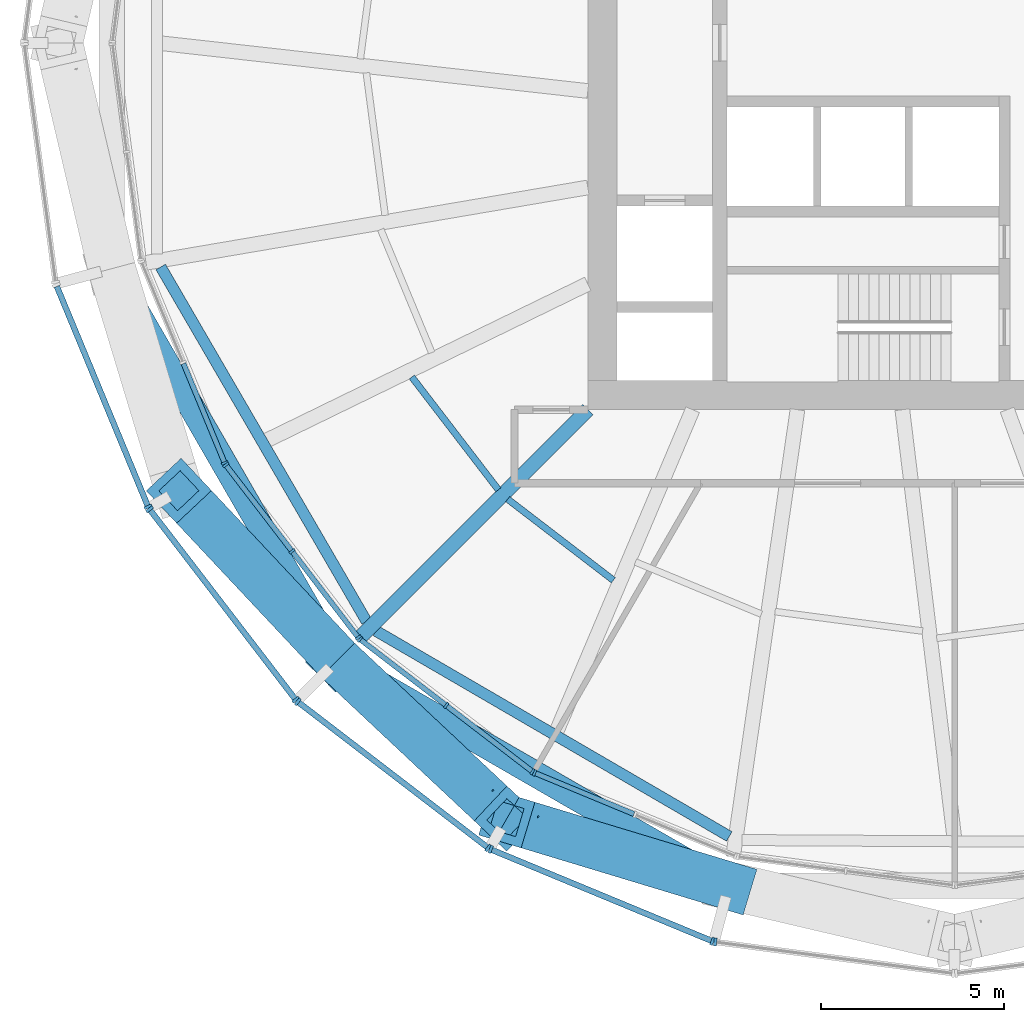
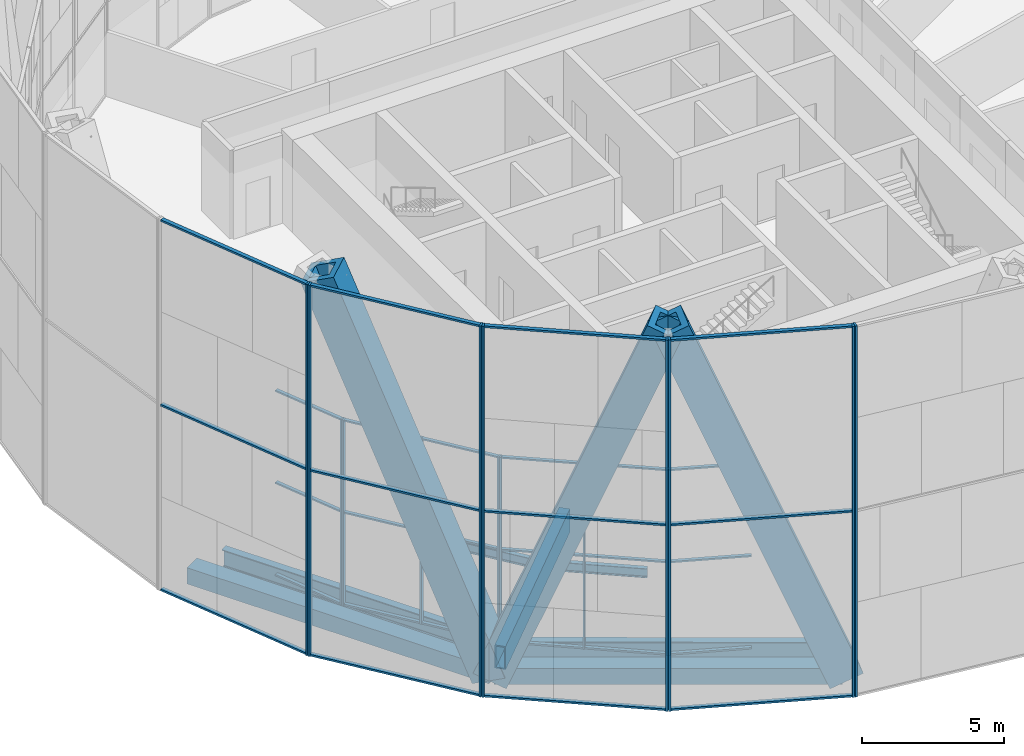
# One storey, part 1 of 22: 49 members, 7 beams, 9 elements without a shape of their own.
"""IFC4 building model written with IfcOpenShell, lengths in metres."""

from ifc_helpers import new_model, si_unit, direction, frame, origin, origin_2d, place, context, subcontext, project, spatial, rectangle, hollow_rectangle, i_section, extrude, material, material_profile, profile_set, type_object, element, aggregate, save


model = new_model("IFC4")

# Units and contexts
model_context = context("Model", 3, precision=1e-05, world=origin(), true_north=direction((0.0, 1.0)))
body_context = subcontext(model_context, "Body", "Model", "MODEL_VIEW")
ifc_project = project(units=[si_unit("LENGTHUNIT", "METRE"), si_unit("AREAUNIT", "SQUARE_METRE"), si_unit("VOLUMEUNIT", "CUBIC_METRE"), si_unit("PLANEANGLEUNIT", "RADIAN"), si_unit("MASSUNIT", "GRAM", prefix="KILO")], contexts=[model_context])

# Site, building, storey
site_placement = place(None, origin())
site = spatial("IfcSite", under=ifc_project, at=site_placement, CompositionType="ELEMENT")
building_placement = place(site_placement, origin())
building = spatial("IfcBuilding", under=site, at=building_placement, Name="Golbaran Civic Tower", CompositionType="ELEMENT")
storey_placement = place(building_placement, frame((0.0, 0.0, 37.0)))
storey = spatial("IfcBuildingStorey", under=building, at=storey_placement, Name="L08", CompositionType="ELEMENT", Elevation=37.0)

# Members
ifc_material_1 = material(Name="Steel S355", Category="steel")
ifc_material_profile_1 = material_profile(ifc_material_1, hollow_rectangle(XDim=1.300048828125, YDim=1.300048828125, WallThickness=0.25, at=origin_2d()), Name="BOX 1300x1300x250")
ifc_profile_set_1 = profile_set([ifc_material_profile_1], Name="Steel S355")
member_type_1 = type_object("IfcMemberType", Name="DIAGRID DIAGONAL BOX 1300x1300x250", PredefinedType="BRACE", material=ifc_profile_set_1)
for number, where, z_axis, x_axis, name in (
    (1, (-16.818603515625, -16.818603515625, -0.7099609375), (0.267997493892, -0.251464950583, 0.930022968478), (0.68425576452, 0.729242105697, 0.0), "Diagonal D01-07R L08-L12"),
    (2, (-16.818603515625, -16.818603515625, -0.7099609375), (-0.251464950583, 0.267997493892, 0.930022968478), (-0.729242105697, -0.68425576452, 0.0), "Diagonal D01-07L L08-L12"),
    (3, (-6.156005859375, -22.974609375, -0.7099609375), (-0.351780312348, 0.106361428095, 0.930020353787), (-0.289412539524, -0.957204461944, 0.0), "Diagonal D01-08L L08-L12"),
):
    element("IfcMember", number, at=place(storey_placement, frame(where, z_axis=z_axis, x_axis=x_axis)), inside=storey, type_object=member_type_1, Name=name, PredefinedType="BRACE", context=body_context, shape_type="SweptSolid", body=[
        extrude(hollow_rectangle(XDim=1.300048828125, YDim=1.300048828125, WallThickness=0.25, at=origin_2d()), origin(), (0.0, 0.0, 1.0), 17.203857421875),
    ])

# Beams
ifc_material_profile_2 = material_profile(ifc_material_1, hollow_rectangle(XDim=0.699951171875, YDim=0.699951171875, WallThickness=0.080078125, at=origin_2d()), Name="BOX 700x700x80")
ifc_profile_set_2 = profile_set([ifc_material_profile_2], Name="Steel S355")
beam_type_1 = type_object("IfcBeamType", Name="DIAGRID RING TIE BOX 700x700x80", PredefinedType="BEAM", material=ifc_profile_set_2)
for number, where, z_axis, x_axis, name in (
    (4, (-22.974609375, -6.156005859375, -0.7099609375), (0.49999709019, -0.866027083758, 0.0), (0.866027083758, 0.49999709019, 0.0), "Ring tie 195.00 L08"),
    (5, (-16.818603515625, -16.818603515625, -0.7099609375), (0.866027083758, -0.49999709019, 0.0), (0.49999709019, 0.866027083758, 0.0), "Ring tie 225.00 L08"),
):
    element("IfcBeam", number, at=place(storey_placement, frame(where, z_axis=z_axis, x_axis=x_axis)), inside=storey, type_object=beam_type_1, Name=name, PredefinedType="BEAM", context=body_context, shape_type="SweptSolid", body=[
        extrude(hollow_rectangle(XDim=0.699951171875, YDim=0.699951171875, WallThickness=0.080078125, at=origin_2d()), origin(), (0.0, 0.0, 1.0), 12.31201171875),
    ])
ifc_material_profile_3 = material_profile(ifc_material_1, i_section(OverallWidth=0.300048828125, OverallDepth=0.800048828125, WebThickness=0.017578125, FlangeThickness=0.032958984375, FilletRadius=0.030029296875, at=origin_2d()), Name="HEB 800")
ifc_profile_set_3 = profile_set([ifc_material_profile_3], Name="Steel S355")
beam_type_2 = type_object("IfcBeamType", Name="EDGE BEAM HEB 800", PredefinedType="BEAM", material=ifc_profile_set_3)
beam_1_placement = place(storey_placement, frame((-21.639892578125, -6.11083984375, -0.60009765625), z_axis=(0.502246731429, -0.864724361151, 0.0), x_axis=(0.864724361151, 0.502246731429, 0.0)))
element("IfcBeam", 6, at=beam_1_placement, inside=storey, type_object=beam_type_2, Name="Edge beam 195.00 L08", PredefinedType="BEAM", context=body_context, shape_type="SweptSolid", body=[
    extrude(i_section(OverallWidth=0.300048828125, OverallDepth=0.800048828125, WebThickness=0.017578125, FlangeThickness=0.032958984375, FilletRadius=0.030029296875, at=origin_2d()), origin(), (0.0, 0.0, 1.0), 11.173828125),
])
beam_2_placement = place(storey_placement, frame((-15.7734375, -16.028076171875, -0.60009765625), z_axis=(0.864368081575, -0.502859642002, 0.0), x_axis=(0.502859642002, 0.864368081575, 0.0)))
element("IfcBeam", 7, at=beam_2_placement, inside=storey, type_object=beam_type_2, Name="Edge beam 225.00 L08", PredefinedType="BEAM", context=body_context, shape_type="SweptSolid", body=[
    extrude(i_section(OverallWidth=0.300048828125, OverallDepth=0.800048828125, WebThickness=0.017578125, FlangeThickness=0.032958984375, FilletRadius=0.030029296875, at=origin_2d()), origin(), (0.0, 0.0, 1.0), 11.140380859375),
])
ifc_material_profile_4 = material_profile(ifc_material_1, i_section(OverallWidth=0.179931640625, OverallDepth=0.39990234375, WebThickness=0.008544921875, FlangeThickness=0.013427734375, FilletRadius=0.02099609375, at=origin_2d()), Name="IPE 400")
ifc_profile_set_4 = profile_set([ifc_material_profile_4], Name="Steel S355")
beam_type_3 = type_object("IfcBeamType", Name="FLOOR INFILL BEAM IPE 400", PredefinedType="BEAM", material=ifc_profile_set_4)
beam_3_placement = place(storey_placement, frame((-14.7958984375, -9.10888671875, -0.39990234375), z_axis=(0.608775438177, -0.793342590482, 0.0), x_axis=(0.793342590482, 0.608775438177, 0.0)))
element("IfcBeam", 8, at=beam_3_placement, inside=storey, type_object=beam_type_3, Name="Infill beam 217.50 L08", PredefinedType="BEAM", context=body_context, shape_type="SweptSolid", body=[
    extrude(i_section(OverallWidth=0.179931640625, OverallDepth=0.39990234375, WebThickness=0.008544921875, FlangeThickness=0.013427734375, FilletRadius=0.02099609375, at=origin_2d()), origin(), (0.0, 0.0, 1.0), 3.87451171875),
])
beam_4_placement = place(storey_placement, frame((-12.18359375, -12.43798828125, -0.39990234375), z_axis=(0.793341055258, -0.608777438842, 0.0), x_axis=(0.608777438842, 0.793341055258, 0.0)))
element("IfcBeam", 9, at=beam_4_placement, inside=storey, type_object=beam_type_3, Name="Infill beam 232.50 L08", PredefinedType="BEAM", context=body_context, shape_type="SweptSolid", body=[
    extrude(i_section(OverallWidth=0.179931640625, OverallDepth=0.39990234375, WebThickness=0.008544921875, FlangeThickness=0.013427734375, FilletRadius=0.02099609375, at=origin_2d()), origin(), (0.0, 0.0, 1.0), 3.6298828125),
])

# Curtain wall, member
ifc_material_2 = material(Name="Aluminium and glass", Category="aluminium")
curtain_wall_type_1 = type_object("IfcCurtainWallType", Name="INNER SKIN CURTAIN WALL", PredefinedType="NOTDEFINED", material=ifc_material_2)
curtain_wall_1_placement = place(storey_placement, origin())
curtain_wall_1 = element("IfcCurtainWall", 10, at=curtain_wall_1_placement, inside=storey, type_object=curtain_wall_type_1, Name="Inner skin L08 facet 14 CW1", ObjectType="INNER SKIN", PredefinedType="USERDEFINED")
ifc_material_3 = material(Name="Aluminium", Category="aluminium")
ifc_material_profile_5 = material_profile(ifc_material_3, rectangle(XDim=0.179931640625, YDim=0.06494140625, at=origin_2d()), Name="INNER SKIN CURTAIN WALL MULLION")
ifc_profile_set_5 = profile_set([ifc_material_profile_5], Name="Aluminium")
member_type_2 = type_object("IfcMemberType", Name="INNER SKIN CURTAIN WALL MULLION", PredefinedType="MULLION", material=ifc_profile_set_5)
member_1_placement = place(storey_placement, frame((-19.897216796875, -11.450439453125, 0.0), z_axis=(0.0, 0.0, 1.0), x_axis=(0.923879532511, 0.382683432365, 0.0)))
member_1 = element("IfcMember", 11, at=member_1_placement, type_object=member_type_2, Name="CW1 mullion 3", PredefinedType="MULLION", context=body_context, shape_type="SweptSolid", body=[
    extrude(rectangle(XDim=0.179931640625, YDim=0.06494140625, at=origin_2d()), origin(), (0.0, 0.0, 1.0), 8.0),
])

# Curtain wall, members
curtain_wall_2_placement = place(storey_placement, origin())
curtain_wall_2 = element("IfcCurtainWall", 12, at=curtain_wall_2_placement, inside=storey, type_object=curtain_wall_type_1, Name="Inner skin L08 facet 15 CW1", ObjectType="INNER SKIN", PredefinedType="USERDEFINED")
member_2_placement = place(storey_placement, frame((-19.864990234375, -11.50634765625, 0.0), z_axis=(0.0, 0.0, 1.0), x_axis=(0.793353340344, 0.608761428939, 0.0)))
member_2 = element("IfcMember", 13, at=member_2_placement, type_object=member_type_2, Name="CW1 mullion 1", PredefinedType="MULLION", context=body_context, shape_type="SweptSolid", body=[
    extrude(rectangle(XDim=0.179931640625, YDim=0.06494140625, at=origin_2d()), origin(), (0.0, 0.0, 1.0), 8.0),
])
member_3_placement = place(storey_placement, frame((-18.060302734375, -13.858154296875, 0.0), z_axis=(0.0, 0.0, 1.0), x_axis=(0.793353340344, 0.608761428939, 0.0)))
member_3 = element("IfcMember", 14, at=member_3_placement, type_object=member_type_2, Name="CW1 mullion 2", PredefinedType="MULLION", context=body_context, shape_type="SweptSolid", body=[
    extrude(rectangle(XDim=0.179931640625, YDim=0.06494140625, at=origin_2d()), origin(), (0.0, 0.0, 1.0), 8.0),
])
member_4_placement = place(storey_placement, frame((-16.255615234375, -16.210205078125, 0.0), z_axis=(0.0, 0.0, 1.0), x_axis=(0.793353340344, 0.608761428939, 0.0)))
member_4 = element("IfcMember", 15, at=member_4_placement, type_object=member_type_2, Name="CW1 mullion 3", PredefinedType="MULLION", context=body_context, shape_type="SweptSolid", body=[
    extrude(rectangle(XDim=0.179931640625, YDim=0.06494140625, at=origin_2d()), origin(), (0.0, 0.0, 1.0), 8.0),
])

curtain_wall_3_placement = place(storey_placement, origin())
curtain_wall_3 = element("IfcCurtainWall", 16, at=curtain_wall_3_placement, inside=storey, type_object=curtain_wall_type_1, Name="Inner skin L08 facet 16 CW1", ObjectType="INNER SKIN", PredefinedType="USERDEFINED")
member_5_placement = place(storey_placement, frame((-16.210205078125, -16.255615234375, 0.0), z_axis=(0.0, 0.0, 1.0), x_axis=(0.608761428939, 0.793353340344, 0.0)))
member_5 = element("IfcMember", 17, at=member_5_placement, type_object=member_type_2, Name="CW1 mullion 1", PredefinedType="MULLION", context=body_context, shape_type="SweptSolid", body=[
    extrude(rectangle(XDim=0.179931640625, YDim=0.06494140625, at=origin_2d()), origin(), (0.0, 0.0, 1.0), 8.0),
])
member_6_placement = place(storey_placement, frame((-13.858154296875, -18.060302734375, 0.0), z_axis=(0.0, 0.0, 1.0), x_axis=(0.608761428939, 0.793353340344, 0.0)))
member_6 = element("IfcMember", 18, at=member_6_placement, type_object=member_type_2, Name="CW1 mullion 2", PredefinedType="MULLION", context=body_context, shape_type="SweptSolid", body=[
    extrude(rectangle(XDim=0.179931640625, YDim=0.06494140625, at=origin_2d()), origin(), (0.0, 0.0, 1.0), 8.0),
])
member_7_placement = place(storey_placement, frame((-11.50634765625, -19.864990234375, 0.0), z_axis=(0.0, 0.0, 1.0), x_axis=(0.608761428939, 0.793353340344, 0.0)))
member_7 = element("IfcMember", 19, at=member_7_placement, type_object=member_type_2, Name="CW1 mullion 3", PredefinedType="MULLION", context=body_context, shape_type="SweptSolid", body=[
    extrude(rectangle(XDim=0.179931640625, YDim=0.06494140625, at=origin_2d()), origin(), (0.0, 0.0, 1.0), 8.0),
])

# Curtain wall, member
curtain_wall_4_placement = place(storey_placement, origin())
curtain_wall_4 = element("IfcCurtainWall", 20, at=curtain_wall_4_placement, inside=storey, type_object=curtain_wall_type_1, Name="Inner skin L08 facet 17 CW1", ObjectType="INNER SKIN", PredefinedType="USERDEFINED")
member_8_placement = place(storey_placement, frame((-11.450439453125, -19.897216796875, 0.0), z_axis=(0.0, 0.0, 1.0), x_axis=(0.382683432365, 0.923879532511, 0.0)))
member_8 = element("IfcMember", 21, at=member_8_placement, type_object=member_type_2, Name="CW1 mullion 1", PredefinedType="MULLION", context=body_context, shape_type="SweptSolid", body=[
    extrude(rectangle(XDim=0.179931640625, YDim=0.06494140625, at=origin_2d()), origin(), (0.0, 0.0, 1.0), 8.0),
])

# Member
ifc_material_profile_6 = material_profile(ifc_material_3, rectangle(XDim=0.139892578125, YDim=0.06494140625, at=origin_2d()), Name="INNER SKIN CURTAIN WALL TRANSOM")
ifc_profile_set_6 = profile_set([ifc_material_profile_6], Name="Aluminium")
member_type_3 = type_object("IfcMemberType", Name="INNER SKIN CURTAIN WALL TRANSOM", PredefinedType="USERDEFINED", material=ifc_profile_set_6)
member_9_placement = place(storey_placement, frame((-21.019287109375, -8.74169921875, 0.032470703125), z_axis=(0.382701313468, -0.923872125713, 0.0), x_axis=(0.923872125713, 0.382701313468, 0.0)))
member_9 = element("IfcMember", 22, at=member_9_placement, type_object=member_type_3, Name="CW1 transom 2.1", ObjectType="TRANSOM", PredefinedType="USERDEFINED", context=body_context, shape_type="SweptSolid", body=[
    extrude(rectangle(XDim=0.139892578125, YDim=0.06494140625, at=origin_2d()), origin(), (0.0, 0.0, 1.0), 2.8994140625),
])

member_10_placement = place(storey_placement, frame((-21.019287109375, -8.74169921875, 4.0), z_axis=(0.382701313468, -0.923872125713, 0.0), x_axis=(0.923872125713, 0.382701313468, 0.0)))
member_10 = element("IfcMember", 23, at=member_10_placement, type_object=member_type_3, Name="CW1 transom 2.2", ObjectType="TRANSOM", PredefinedType="USERDEFINED", context=body_context, shape_type="SweptSolid", body=[
    extrude(rectangle(XDim=0.139892578125, YDim=0.06494140625, at=origin_2d()), origin(), (0.0, 0.0, 1.0), 2.8994140625),
])

member_11_placement = place(storey_placement, frame((-21.019287109375, -8.74169921875, 7.967529296875), z_axis=(0.382701313468, -0.923872125713, 0.0), x_axis=(0.923872125713, 0.382701313468, 0.0)))
member_11 = element("IfcMember", 24, at=member_11_placement, type_object=member_type_3, Name="CW1 transom 2.3", ObjectType="TRANSOM", PredefinedType="USERDEFINED", context=body_context, shape_type="SweptSolid", body=[
    extrude(rectangle(XDim=0.139892578125, YDim=0.06494140625, at=origin_2d()), origin(), (0.0, 0.0, 1.0), 2.8994140625),
])

aggregate(curtain_wall_1, [member_1, member_9, member_10, member_11])

member_12_placement = place(storey_placement, frame((-19.84521484375, -11.531982421875, 0.032470703125), z_axis=(0.608733755036, -0.79337457451, 0.0), x_axis=(0.79337457451, 0.608733755036, 0.0)))
member_12 = element("IfcMember", 25, at=member_12_placement, type_object=member_type_3, Name="CW1 transom 1.1", ObjectType="TRANSOM", PredefinedType="USERDEFINED", context=body_context, shape_type="SweptSolid", body=[
    extrude(rectangle(XDim=0.139892578125, YDim=0.06494140625, at=origin_2d()), origin(), (0.0, 0.0, 1.0), 2.899658203125),
])

member_13_placement = place(storey_placement, frame((-19.84521484375, -11.531982421875, 4.0), z_axis=(0.608733755036, -0.79337457451, 0.0), x_axis=(0.79337457451, 0.608733755036, 0.0)))
member_13 = element("IfcMember", 26, at=member_13_placement, type_object=member_type_3, Name="CW1 transom 1.2", ObjectType="TRANSOM", PredefinedType="USERDEFINED", context=body_context, shape_type="SweptSolid", body=[
    extrude(rectangle(XDim=0.139892578125, YDim=0.06494140625, at=origin_2d()), origin(), (0.0, 0.0, 1.0), 2.899658203125),
])

member_14_placement = place(storey_placement, frame((-19.84521484375, -11.531982421875, 7.967529296875), z_axis=(0.608733755036, -0.79337457451, 0.0), x_axis=(0.79337457451, 0.608733755036, 0.0)))
member_14 = element("IfcMember", 27, at=member_14_placement, type_object=member_type_3, Name="CW1 transom 1.3", ObjectType="TRANSOM", PredefinedType="USERDEFINED", context=body_context, shape_type="SweptSolid", body=[
    extrude(rectangle(XDim=0.139892578125, YDim=0.06494140625, at=origin_2d()), origin(), (0.0, 0.0, 1.0), 2.899658203125),
])

member_15_placement = place(storey_placement, frame((-18.04052734375, -13.884033203125, 0.032470703125), z_axis=(0.608774419516, -0.793343372155, 0.0), x_axis=(0.793343372155, 0.608774419516, 0.0)))
member_15 = element("IfcMember", 28, at=member_15_placement, type_object=member_type_3, Name="CW1 transom 2.1", ObjectType="TRANSOM", PredefinedType="USERDEFINED", context=body_context, shape_type="SweptSolid", body=[
    extrude(rectangle(XDim=0.139892578125, YDim=0.06494140625, at=origin_2d()), origin(), (0.0, 0.0, 1.0), 2.8994140625),
])

member_16_placement = place(storey_placement, frame((-18.04052734375, -13.884033203125, 4.0), z_axis=(0.608774419516, -0.793343372155, 0.0), x_axis=(0.793343372155, 0.608774419516, 0.0)))
member_16 = element("IfcMember", 29, at=member_16_placement, type_object=member_type_3, Name="CW1 transom 2.2", ObjectType="TRANSOM", PredefinedType="USERDEFINED", context=body_context, shape_type="SweptSolid", body=[
    extrude(rectangle(XDim=0.139892578125, YDim=0.06494140625, at=origin_2d()), origin(), (0.0, 0.0, 1.0), 2.8994140625),
])

member_17_placement = place(storey_placement, frame((-18.04052734375, -13.884033203125, 7.967529296875), z_axis=(0.608774419516, -0.793343372155, 0.0), x_axis=(0.793343372155, 0.608774419516, 0.0)))
member_17 = element("IfcMember", 30, at=member_17_placement, type_object=member_type_3, Name="CW1 transom 2.3", ObjectType="TRANSOM", PredefinedType="USERDEFINED", context=body_context, shape_type="SweptSolid", body=[
    extrude(rectangle(XDim=0.139892578125, YDim=0.06494140625, at=origin_2d()), origin(), (0.0, 0.0, 1.0), 2.8994140625),
])

aggregate(curtain_wall_2, [member_2, member_3, member_4, member_12, member_13, member_14, member_15, member_16, member_17])

member_18_placement = place(storey_placement, frame((-16.184326171875, -16.275390625, 0.032470703125), z_axis=(0.793343372155, -0.608774419516, 0.0), x_axis=(0.608774419516, 0.793343372155, 0.0)))
member_18 = element("IfcMember", 31, at=member_18_placement, type_object=member_type_3, Name="CW1 transom 1.1", ObjectType="TRANSOM", PredefinedType="USERDEFINED", context=body_context, shape_type="SweptSolid", body=[
    extrude(rectangle(XDim=0.139892578125, YDim=0.06494140625, at=origin_2d()), origin(), (0.0, 0.0, 1.0), 2.8994140625),
])

member_19_placement = place(storey_placement, frame((-16.184326171875, -16.275390625, 4.0), z_axis=(0.793343372155, -0.608774419516, 0.0), x_axis=(0.608774419516, 0.793343372155, 0.0)))
member_19 = element("IfcMember", 32, at=member_19_placement, type_object=member_type_3, Name="CW1 transom 1.2", ObjectType="TRANSOM", PredefinedType="USERDEFINED", context=body_context, shape_type="SweptSolid", body=[
    extrude(rectangle(XDim=0.139892578125, YDim=0.06494140625, at=origin_2d()), origin(), (0.0, 0.0, 1.0), 2.8994140625),
])

member_20_placement = place(storey_placement, frame((-16.184326171875, -16.275390625, 7.967529296875), z_axis=(0.793343372155, -0.608774419516, 0.0), x_axis=(0.608774419516, 0.793343372155, 0.0)))
member_20 = element("IfcMember", 33, at=member_20_placement, type_object=member_type_3, Name="CW1 transom 1.3", ObjectType="TRANSOM", PredefinedType="USERDEFINED", context=body_context, shape_type="SweptSolid", body=[
    extrude(rectangle(XDim=0.139892578125, YDim=0.06494140625, at=origin_2d()), origin(), (0.0, 0.0, 1.0), 2.8994140625),
])

member_21_placement = place(storey_placement, frame((-13.83251953125, -18.080078125, 0.032470703125), z_axis=(0.79337457451, -0.608733755036, 0.0), x_axis=(0.608733755036, 0.79337457451, 0.0)))
member_21 = element("IfcMember", 34, at=member_21_placement, type_object=member_type_3, Name="CW1 transom 2.1", ObjectType="TRANSOM", PredefinedType="USERDEFINED", context=body_context, shape_type="SweptSolid", body=[
    extrude(rectangle(XDim=0.139892578125, YDim=0.06494140625, at=origin_2d()), origin(), (0.0, 0.0, 1.0), 2.899658203125),
])

member_22_placement = place(storey_placement, frame((-13.83251953125, -18.080078125, 4.0), z_axis=(0.79337457451, -0.608733755036, 0.0), x_axis=(0.608733755036, 0.79337457451, 0.0)))
member_22 = element("IfcMember", 35, at=member_22_placement, type_object=member_type_3, Name="CW1 transom 2.2", ObjectType="TRANSOM", PredefinedType="USERDEFINED", context=body_context, shape_type="SweptSolid", body=[
    extrude(rectangle(XDim=0.139892578125, YDim=0.06494140625, at=origin_2d()), origin(), (0.0, 0.0, 1.0), 2.899658203125),
])

member_23_placement = place(storey_placement, frame((-13.83251953125, -18.080078125, 7.967529296875), z_axis=(0.79337457451, -0.608733755036, 0.0), x_axis=(0.608733755036, 0.79337457451, 0.0)))
member_23 = element("IfcMember", 36, at=member_23_placement, type_object=member_type_3, Name="CW1 transom 2.3", ObjectType="TRANSOM", PredefinedType="USERDEFINED", context=body_context, shape_type="SweptSolid", body=[
    extrude(rectangle(XDim=0.139892578125, YDim=0.06494140625, at=origin_2d()), origin(), (0.0, 0.0, 1.0), 2.899658203125),
])

aggregate(curtain_wall_3, [member_5, member_6, member_7, member_18, member_19, member_20, member_21, member_22, member_23])

member_24_placement = place(storey_placement, frame((-11.42041015625, -19.90966796875, 0.032470703125), z_axis=(0.923872125713, -0.382701313468, 0.0), x_axis=(0.382701313468, 0.923872125713, 0.0)))
member_24 = element("IfcMember", 37, at=member_24_placement, type_object=member_type_3, Name="CW1 transom 1.1", ObjectType="TRANSOM", PredefinedType="USERDEFINED", context=body_context, shape_type="SweptSolid", body=[
    extrude(rectangle(XDim=0.139892578125, YDim=0.06494140625, at=origin_2d()), origin(), (0.0, 0.0, 1.0), 2.8994140625),
])

member_25_placement = place(storey_placement, frame((-11.42041015625, -19.90966796875, 4.0), z_axis=(0.923872125713, -0.382701313468, 0.0), x_axis=(0.382701313468, 0.923872125713, 0.0)))
member_25 = element("IfcMember", 38, at=member_25_placement, type_object=member_type_3, Name="CW1 transom 1.2", ObjectType="TRANSOM", PredefinedType="USERDEFINED", context=body_context, shape_type="SweptSolid", body=[
    extrude(rectangle(XDim=0.139892578125, YDim=0.06494140625, at=origin_2d()), origin(), (0.0, 0.0, 1.0), 2.8994140625),
])

member_26_placement = place(storey_placement, frame((-11.42041015625, -19.90966796875, 7.967529296875), z_axis=(0.923872125713, -0.382701313468, 0.0), x_axis=(0.382701313468, 0.923872125713, 0.0)))
member_26 = element("IfcMember", 39, at=member_26_placement, type_object=member_type_3, Name="CW1 transom 1.3", ObjectType="TRANSOM", PredefinedType="USERDEFINED", context=body_context, shape_type="SweptSolid", body=[
    extrude(rectangle(XDim=0.139892578125, YDim=0.06494140625, at=origin_2d()), origin(), (0.0, 0.0, 1.0), 2.8994140625),
])

aggregate(curtain_wall_4, [member_8, member_24, member_25, member_26])

# Curtain wall, member
curtain_wall_type_2 = type_object("IfcCurtainWallType", Name="OUTER SKIN TERRACOTTA SCREEN", PredefinedType="NOTDEFINED", material=ifc_material_2)
curtain_wall_5_placement = place(storey_placement, origin())
curtain_wall_5 = element("IfcCurtainWall", 40, at=curtain_wall_5_placement, inside=storey, type_object=curtain_wall_type_2, Name="Outer skin L08 facet 14 CW3", ObjectType="OUTER SKIN", PredefinedType="USERDEFINED")
ifc_material_profile_7 = material_profile(ifc_material_3, rectangle(XDim=0.219970703125, YDim=0.080078125, at=origin_2d()), Name="OUTER SKIN TERRACOTTA SCREEN MULLION")
ifc_profile_set_7 = profile_set([ifc_material_profile_7], Name="Aluminium")
member_type_4 = type_object("IfcMemberType", Name="OUTER SKIN TERRACOTTA SCREEN MULLION", PredefinedType="MULLION", material=ifc_profile_set_7)
member_27_placement = place(storey_placement, frame((-21.98291015625, -12.64599609375, -0.7099609375), z_axis=(0.0, 0.0, 1.0), x_axis=(0.923879532471, 0.382683432462, 0.0)))
member_27 = element("IfcMember", 41, at=member_27_placement, type_object=member_type_4, Name="CW3 mullion 2", PredefinedType="MULLION", context=body_context, shape_type="SweptSolid", body=[
    extrude(rectangle(XDim=0.219970703125, YDim=0.080078125, at=origin_2d()), origin(), (0.0, 0.0, 1.0), 16.0),
])

# Curtain wall, members
curtain_wall_6_placement = place(storey_placement, origin())
curtain_wall_6 = element("IfcCurtainWall", 42, at=curtain_wall_6_placement, inside=storey, type_object=curtain_wall_type_2, Name="Outer skin L08 facet 15 CW3", ObjectType="OUTER SKIN", PredefinedType="USERDEFINED")
member_28_placement = place(storey_placement, frame((-21.943359375, -12.71484375, -0.7099609375), z_axis=(0.0, 0.0, 1.0), x_axis=(0.793353340376, 0.608761428898, 0.0)))
member_28 = element("IfcMember", 43, at=member_28_placement, type_object=member_type_4, Name="CW3 mullion 1", PredefinedType="MULLION", context=body_context, shape_type="SweptSolid", body=[
    extrude(rectangle(XDim=0.219970703125, YDim=0.080078125, at=origin_2d()), origin(), (0.0, 0.0, 1.0), 16.0),
])
member_29_placement = place(storey_placement, frame((-17.9609375, -17.90478515625, -0.7099609375), z_axis=(0.0, 0.0, 1.0), x_axis=(0.793353340376, 0.608761428898, 0.0)))
member_29 = element("IfcMember", 44, at=member_29_placement, type_object=member_type_4, Name="CW3 mullion 2", PredefinedType="MULLION", context=body_context, shape_type="SweptSolid", body=[
    extrude(rectangle(XDim=0.219970703125, YDim=0.080078125, at=origin_2d()), origin(), (0.0, 0.0, 1.0), 16.0),
])

curtain_wall_7_placement = place(storey_placement, origin())
curtain_wall_7 = element("IfcCurtainWall", 45, at=curtain_wall_7_placement, inside=storey, type_object=curtain_wall_type_2, Name="Outer skin L08 facet 16 CW3", ObjectType="OUTER SKIN", PredefinedType="USERDEFINED")
member_30_placement = place(storey_placement, frame((-17.90478515625, -17.9609375, -0.7099609375), z_axis=(0.0, 0.0, 1.0), x_axis=(0.608761428898, 0.793353340376, 0.0)))
member_30 = element("IfcMember", 46, at=member_30_placement, type_object=member_type_4, Name="CW3 mullion 1", PredefinedType="MULLION", context=body_context, shape_type="SweptSolid", body=[
    extrude(rectangle(XDim=0.219970703125, YDim=0.080078125, at=origin_2d()), origin(), (0.0, 0.0, 1.0), 16.0),
])
member_31_placement = place(storey_placement, frame((-12.71484375, -21.943359375, -0.7099609375), z_axis=(0.0, 0.0, 1.0), x_axis=(0.608761428898, 0.793353340376, 0.0)))
member_31 = element("IfcMember", 47, at=member_31_placement, type_object=member_type_4, Name="CW3 mullion 2", PredefinedType="MULLION", context=body_context, shape_type="SweptSolid", body=[
    extrude(rectangle(XDim=0.219970703125, YDim=0.080078125, at=origin_2d()), origin(), (0.0, 0.0, 1.0), 16.0),
])

curtain_wall_8_placement = place(storey_placement, origin())
curtain_wall_8 = element("IfcCurtainWall", 48, at=curtain_wall_8_placement, inside=storey, type_object=curtain_wall_type_2, Name="Outer skin L08 facet 17 CW3", ObjectType="OUTER SKIN", PredefinedType="USERDEFINED")
member_32_placement = place(storey_placement, frame((-12.64599609375, -21.98291015625, -0.7099609375), z_axis=(0.0, 0.0, 1.0), x_axis=(0.382683432462, 0.923879532471, 0.0)))
member_32 = element("IfcMember", 49, at=member_32_placement, type_object=member_type_4, Name="CW3 mullion 1", PredefinedType="MULLION", context=body_context, shape_type="SweptSolid", body=[
    extrude(rectangle(XDim=0.219970703125, YDim=0.080078125, at=origin_2d()), origin(), (0.0, 0.0, 1.0), 16.0),
])
member_33_placement = place(storey_placement, frame((-6.60205078125, -24.486328125, -0.7099609375), z_axis=(0.0, 0.0, 1.0), x_axis=(0.382683432462, 0.923879532471, 0.0)))
member_33 = element("IfcMember", 50, at=member_33_placement, type_object=member_type_4, Name="CW3 mullion 2", PredefinedType="MULLION", context=body_context, shape_type="SweptSolid", body=[
    extrude(rectangle(XDim=0.219970703125, YDim=0.080078125, at=origin_2d()), origin(), (0.0, 0.0, 1.0), 16.0),
])

# Curtain wall, member
curtain_wall_9_placement = place(storey_placement, origin())
curtain_wall_9 = element("IfcCurtainWall", 51, at=curtain_wall_9_placement, inside=storey, type_object=curtain_wall_type_2, Name="Outer skin L08 facet 18 CW3", ObjectType="OUTER SKIN", PredefinedType="USERDEFINED")
member_34_placement = place(storey_placement, frame((-6.525634765625, -24.5068359375, -0.7099609375), z_axis=(0.0, 0.0, 1.0), x_axis=(0.130526192168, 0.991444861381, 0.0)))
member_34 = element("IfcMember", 52, at=member_34_placement, type_object=member_type_4, Name="CW3 mullion 1", PredefinedType="MULLION", context=body_context, shape_type="SweptSolid", body=[
    extrude(rectangle(XDim=0.219970703125, YDim=0.080078125, at=origin_2d()), origin(), (0.0, 0.0, 1.0), 16.0),
])
aggregate(curtain_wall_9, [member_34])

# Member
ifc_material_profile_8 = material_profile(ifc_material_3, rectangle(XDim=0.159912109375, YDim=0.080078125, at=origin_2d()), Name="OUTER SKIN TERRACOTTA SCREEN TRANSOM")
ifc_profile_set_8 = profile_set([ifc_material_profile_8], Name="Aluminium")
member_type_5 = type_object("IfcMemberType", Name="OUTER SKIN TERRACOTTA SCREEN TRANSOM", PredefinedType="USERDEFINED", material=ifc_profile_set_8)
member_35_placement = place(storey_placement, frame((-24.470947265625, -6.63916015625, -0.669921875), z_axis=(0.382658786092, -0.923889740947, 0.0), x_axis=(0.923889740947, 0.382658786092, 0.0)))
member_35 = element("IfcMember", 53, at=member_35_placement, type_object=member_type_5, Name="CW3 transom 1.1", ObjectType="TRANSOM", PredefinedType="USERDEFINED", context=body_context, shape_type="SweptSolid", body=[
    extrude(rectangle(XDim=0.159912109375, YDim=0.080078125, at=origin_2d()), origin(), (0.0, 0.0, 1.0), 6.461669921875),
])

member_36_placement = place(storey_placement, frame((-24.470947265625, -6.63916015625, 7.2900390625), z_axis=(0.382658786092, -0.923889740947, 0.0), x_axis=(0.923889740947, 0.382658786092, 0.0)))
member_36 = element("IfcMember", 54, at=member_36_placement, type_object=member_type_5, Name="CW3 transom 1.2", ObjectType="TRANSOM", PredefinedType="USERDEFINED", context=body_context, shape_type="SweptSolid", body=[
    extrude(rectangle(XDim=0.159912109375, YDim=0.080078125, at=origin_2d()), origin(), (0.0, 0.0, 1.0), 6.461669921875),
])

member_37_placement = place(storey_placement, frame((-24.470947265625, -6.63916015625, 15.25), z_axis=(0.382658786092, -0.923889740947, 0.0), x_axis=(0.923889740947, 0.382658786092, 0.0)))
member_37 = element("IfcMember", 55, at=member_37_placement, type_object=member_type_5, Name="CW3 transom 1.3", ObjectType="TRANSOM", PredefinedType="USERDEFINED", context=body_context, shape_type="SweptSolid", body=[
    extrude(rectangle(XDim=0.159912109375, YDim=0.080078125, at=origin_2d()), origin(), (0.0, 0.0, 1.0), 6.461669921875),
])

aggregate(curtain_wall_5, [member_27, member_35, member_36, member_37])

member_38_placement = place(storey_placement, frame((-21.9189453125, -12.74658203125, -0.669921875), z_axis=(0.60877731183, -0.793341152721, 0.0), x_axis=(0.793341152721, 0.60877731183, 0.0)))
member_38 = element("IfcMember", 56, at=member_38_placement, type_object=member_type_5, Name="CW3 transom 1.1", ObjectType="TRANSOM", PredefinedType="USERDEFINED", context=body_context, shape_type="SweptSolid", body=[
    extrude(rectangle(XDim=0.159912109375, YDim=0.080078125, at=origin_2d()), origin(), (0.0, 0.0, 1.0), 6.4619140625),
])

member_39_placement = place(storey_placement, frame((-21.9189453125, -12.74658203125, 7.2900390625), z_axis=(0.60877731183, -0.793341152721, 0.0), x_axis=(0.793341152721, 0.60877731183, 0.0)))
member_39 = element("IfcMember", 57, at=member_39_placement, type_object=member_type_5, Name="CW3 transom 1.2", ObjectType="TRANSOM", PredefinedType="USERDEFINED", context=body_context, shape_type="SweptSolid", body=[
    extrude(rectangle(XDim=0.159912109375, YDim=0.080078125, at=origin_2d()), origin(), (0.0, 0.0, 1.0), 6.4619140625),
])

member_40_placement = place(storey_placement, frame((-21.9189453125, -12.74658203125, 15.25), z_axis=(0.60877731183, -0.793341152721, 0.0), x_axis=(0.793341152721, 0.60877731183, 0.0)))
member_40 = element("IfcMember", 58, at=member_40_placement, type_object=member_type_5, Name="CW3 transom 1.3", ObjectType="TRANSOM", PredefinedType="USERDEFINED", context=body_context, shape_type="SweptSolid", body=[
    extrude(rectangle(XDim=0.159912109375, YDim=0.080078125, at=origin_2d()), origin(), (0.0, 0.0, 1.0), 6.4619140625),
])

aggregate(curtain_wall_6, [member_28, member_29, member_38, member_39, member_40])

member_41_placement = place(storey_placement, frame((-17.873046875, -17.985107421875, -0.669921875), z_axis=(0.793341152721, -0.60877731183, 0.0), x_axis=(0.60877731183, 0.793341152721, 0.0)))
member_41 = element("IfcMember", 59, at=member_41_placement, type_object=member_type_5, Name="CW3 transom 1.1", ObjectType="TRANSOM", PredefinedType="USERDEFINED", context=body_context, shape_type="SweptSolid", body=[
    extrude(rectangle(XDim=0.159912109375, YDim=0.080078125, at=origin_2d()), origin(), (0.0, 0.0, 1.0), 6.4619140625),
])

member_42_placement = place(storey_placement, frame((-17.873046875, -17.985107421875, 7.2900390625), z_axis=(0.793341152721, -0.60877731183, 0.0), x_axis=(0.60877731183, 0.793341152721, 0.0)))
member_42 = element("IfcMember", 60, at=member_42_placement, type_object=member_type_5, Name="CW3 transom 1.2", ObjectType="TRANSOM", PredefinedType="USERDEFINED", context=body_context, shape_type="SweptSolid", body=[
    extrude(rectangle(XDim=0.159912109375, YDim=0.080078125, at=origin_2d()), origin(), (0.0, 0.0, 1.0), 6.4619140625),
])

member_43_placement = place(storey_placement, frame((-17.873046875, -17.985107421875, 15.25), z_axis=(0.793341152721, -0.60877731183, 0.0), x_axis=(0.60877731183, 0.793341152721, 0.0)))
member_43 = element("IfcMember", 61, at=member_43_placement, type_object=member_type_5, Name="CW3 transom 1.3", ObjectType="TRANSOM", PredefinedType="USERDEFINED", context=body_context, shape_type="SweptSolid", body=[
    extrude(rectangle(XDim=0.159912109375, YDim=0.080078125, at=origin_2d()), origin(), (0.0, 0.0, 1.0), 6.4619140625),
])

aggregate(curtain_wall_7, [member_30, member_31, member_41, member_42, member_43])

member_44_placement = place(storey_placement, frame((-12.609130859375, -21.998291015625, -0.669921875), z_axis=(0.923889740947, -0.382658786092, 0.0), x_axis=(0.382658786092, 0.923889740947, 0.0)))
member_44 = element("IfcMember", 62, at=member_44_placement, type_object=member_type_5, Name="CW3 transom 1.1", ObjectType="TRANSOM", PredefinedType="USERDEFINED", context=body_context, shape_type="SweptSolid", body=[
    extrude(rectangle(XDim=0.159912109375, YDim=0.080078125, at=origin_2d()), origin(), (0.0, 0.0, 1.0), 6.461669921875),
])

member_45_placement = place(storey_placement, frame((-12.609130859375, -21.998291015625, 7.2900390625), z_axis=(0.923889740947, -0.382658786092, 0.0), x_axis=(0.382658786092, 0.923889740947, 0.0)))
member_45 = element("IfcMember", 63, at=member_45_placement, type_object=member_type_5, Name="CW3 transom 1.2", ObjectType="TRANSOM", PredefinedType="USERDEFINED", context=body_context, shape_type="SweptSolid", body=[
    extrude(rectangle(XDim=0.159912109375, YDim=0.080078125, at=origin_2d()), origin(), (0.0, 0.0, 1.0), 6.461669921875),
])

member_46_placement = place(storey_placement, frame((-12.609130859375, -21.998291015625, 15.25), z_axis=(0.923889740947, -0.382658786092, 0.0), x_axis=(0.382658786092, 0.923889740947, 0.0)))
member_46 = element("IfcMember", 64, at=member_46_placement, type_object=member_type_5, Name="CW3 transom 1.3", ObjectType="TRANSOM", PredefinedType="USERDEFINED", context=body_context, shape_type="SweptSolid", body=[
    extrude(rectangle(XDim=0.159912109375, YDim=0.080078125, at=origin_2d()), origin(), (0.0, 0.0, 1.0), 6.461669921875),
])

aggregate(curtain_wall_8, [member_32, member_33, member_44, member_45, member_46])

# Beam
ifc_material_profile_9 = material_profile(ifc_material_1, hollow_rectangle(XDim=0.39990234375, YDim=1.0, WallThickness=0.050048828125, at=origin_2d()), Name="BOX 1000x400x50")
ifc_profile_set_9 = profile_set([ifc_material_profile_9], Name="Steel S355")
beam_type_4 = type_object("IfcBeamType", Name="RADIAL FLOOR BEAM BOX 1000x400x50", PredefinedType="BEAM", material=ifc_profile_set_9)
beam_5_placement = place(storey_placement, frame((-10.0, -10.0, -0.7099609375), z_axis=(-0.707106781187, -0.707106781187, 0.0), x_axis=(0.707106781187, -0.707106781187, 0.0)))
element("IfcBeam", 65, at=beam_5_placement, inside=storey, type_object=beam_type_4, Name="Radial beam 225.00 L08", PredefinedType="BEAM", context=body_context, shape_type="SweptSolid", body=[
    extrude(hollow_rectangle(XDim=0.39990234375, YDim=1.0, WallThickness=0.050048828125, at=origin_2d()), origin(), (0.0, 0.0, 1.0), 8.7763671875),
])

save(model, "model.ifc")
